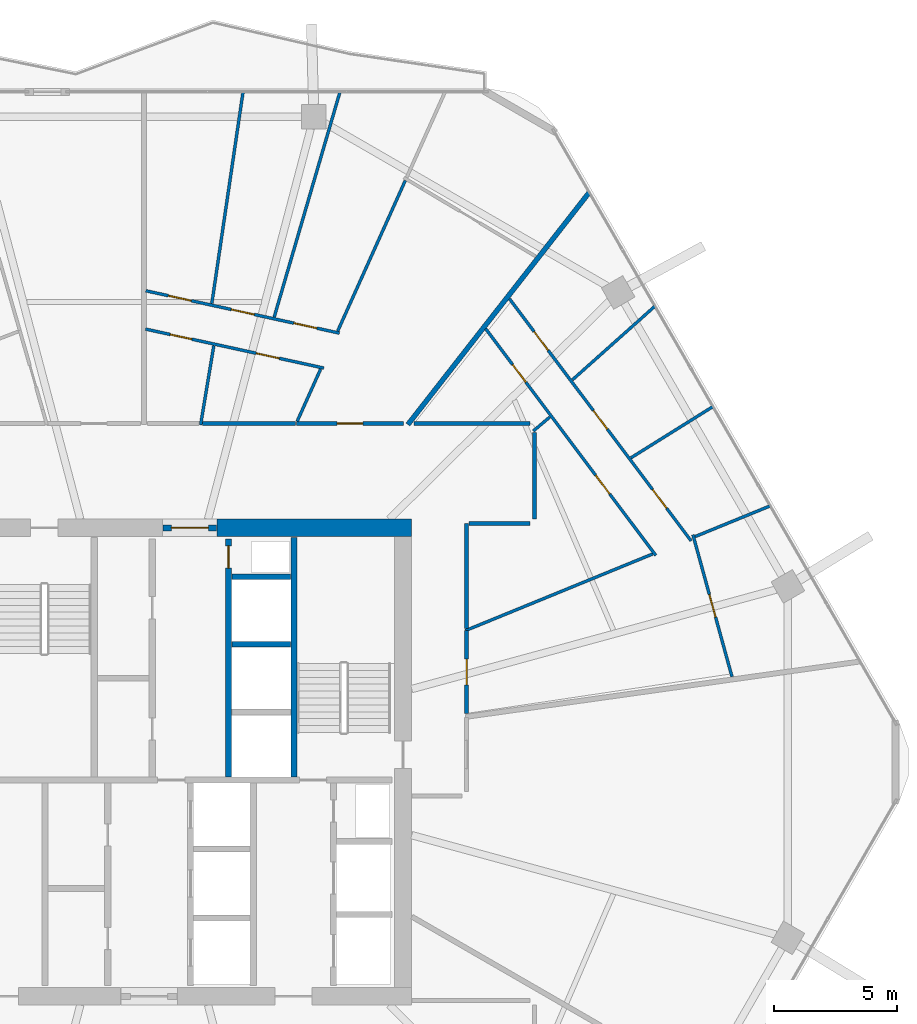
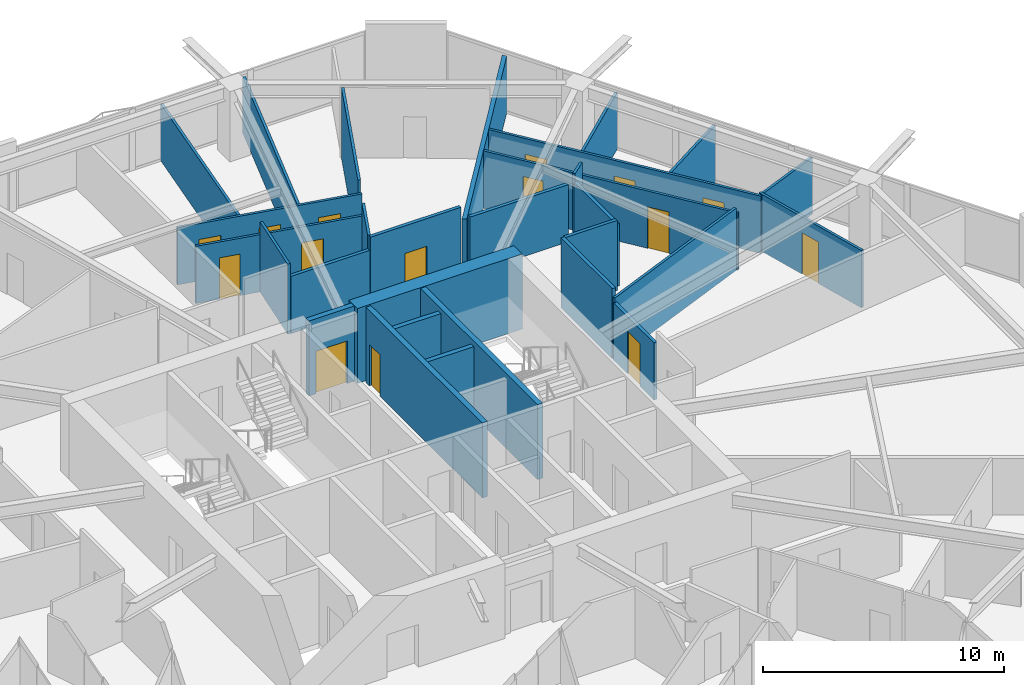
# One storey, part 21 of 25: 29 walls, 15 doors, 15 openings.
"""IFC4 building model written with IfcOpenShell, lengths in metres."""

from ifc_helpers import new_model, si_unit, direction, frame, frame_2d, origin, place, context, subcontext, project, spatial, rectangle, extrude, material, layer, layer_set, type_object, element, fill, save


model = new_model("IFC4")

# Units and contexts
model_context = context("Model", 3, precision=1e-05, world=origin(), true_north=direction((0.0, 1.0)))
body_context = subcontext(model_context, "Body", "Model", "MODEL_VIEW")
ifc_project = project(units=[si_unit("LENGTHUNIT", "METRE"), si_unit("AREAUNIT", "SQUARE_METRE"), si_unit("VOLUMEUNIT", "CUBIC_METRE"), si_unit("PLANEANGLEUNIT", "RADIAN"), si_unit("MASSUNIT", "GRAM", prefix="KILO")], contexts=[model_context])

# Site, building, storey
site_placement = place(None, origin())
site = spatial("IfcSite", under=ifc_project, at=site_placement, CompositionType="ELEMENT")
building_placement = place(site_placement, origin())
building = spatial("IfcBuilding", under=site, at=building_placement, Name="Zuhravey Tower", CompositionType="ELEMENT")
storey_placement = place(building_placement, frame((0.0, 0.0, 150.39990234375)))
storey = spatial("IfcBuildingStorey", under=building, at=storey_placement, Name="L37", CompositionType="ELEMENT", Elevation=150.39990234375)

# Wall
ifc_material_1 = material(Name="Concrete C60/75", Category="concrete")
ifc_layer_1 = layer(ifc_material_1, 0.699951171875)
ifc_layer_set_1 = layer_set([ifc_layer_1], Name="Concrete C60/75")
wall_type_1 = type_object("IfcWallType", Name="Core Shear Wall 700", PredefinedType="SHEAR", material=ifc_layer_set_1)
wall_1_placement = place(storey_placement, frame((46.85009765625, 41.5, 0.0), z_axis=(0.0, 0.0, 1.0), x_axis=(-1.0, 0.0, 0.0)))
element("IfcWall", 1, at=wall_1_placement, inside=storey, type_object=wall_type_1, Name="L37 North-East Core Shear Wall CW70", PredefinedType="SHEAR", context=body_context, shape_type="SweptSolid", body=[
    extrude(rectangle(XDim=7.900146484375, YDim=0.699951171875, at=frame_2d((3.9501953125, 0.0))), origin(), (0.0, 0.0, 1.0), 3.800048828125),
])

# Wall, opening, door
ifc_material_2 = material(Name="Gypsum fire-rated stud partition")
ifc_layer_2 = layer(ifc_material_2, 0.159912109375)
ifc_layer_set_2 = layer_set([ifc_layer_2], Name="Gypsum fire-rated stud partition")
wall_type_2 = type_object("IfcWallType", Name="Corridor Fire Partition 160", PredefinedType="PARTITIONING", material=ifc_layer_set_2)
wall_2_placement = place(storey_placement, frame((49.080078125, 33.97509765625, 0.0), z_axis=(0.0, 0.0, 1.0), x_axis=(0.0, 1.0, 0.0)))
wall_2 = element("IfcWall", 2, at=wall_2_placement, inside=storey, type_object=wall_type_2, Name="L37 IW16 Partition 023", PredefinedType="PARTITIONING", context=body_context, shape_type="SweptSolid", body=[
    extrude(rectangle(XDim=3.357177734375, YDim=0.159912109375, at=frame_2d((1.6787109375, 0.0))), origin(), (0.0, 0.0, 1.0), 2.900146484375),
])
opening_1_placement = place(wall_2_placement, frame((1.153564453125, 0.0, 0.0)))
opening_1 = element("IfcOpeningElement", 3, at=opening_1_placement, cuts=wall_2, Name="Opening APD1", PredefinedType="OPENING", context=body_context, shape_type="SweptSolid", body=[
    extrude(rectangle(XDim=1.050048828125, YDim=2.14990234375, at=frame_2d((0.52490234375, 1.074951171875))), frame((0.0, 0.092041015625, 0.0), z_axis=(0.0, -1.0, 0.0), x_axis=(1.0, 0.0, 0.0)), (0.0, 0.0, 1.0), 0.183837890625),
])
ifc_material_3 = material(Name="Solid-core oak fire-rated leaf")
door_type_1 = type_object("IfcDoorType", Name="Apartment Entrance Fire Door 1050x2150", OperationType="NOTDEFINED", PredefinedType="DOOR", material=ifc_material_3)
door_1_placement = place(opening_1_placement, frame((1.050048828125, 0.0, 0.0), z_axis=(0.0, 0.0, 1.0), x_axis=(-1.0, 0.0, 0.0)))
door_1 = element("IfcDoor", 4, at=door_1_placement, inside=storey, type_object=door_type_1, Name="L37 Door 023.1", OperationType="SINGLE_SWING_LEFT", OverallHeight=2.14990234375, OverallWidth=1.050048828125, PredefinedType="DOOR", context=body_context, shape_type="SweptSolid", body=[
    extrude(rectangle(XDim=1.050048828125, YDim=2.14990234375, at=frame_2d((0.52490234375, 1.074951171875))), frame((0.0, 0.02490234375, 0.0), z_axis=(0.0, -1.0, 0.0), x_axis=(1.0, 0.0, 0.0)), (0.0, 0.0, 1.0), 0.050048828125),
])
fill(opening_1, door_1)

wall_3_placement = place(storey_placement, frame((46.51025390625, 45.72998046875, 0.0), z_axis=(0.0, 0.0, 1.0), x_axis=(-1.0, 0.0, 0.0)))
wall_3 = element("IfcWall", 5, at=wall_3_placement, inside=storey, type_object=wall_type_2, Name="L37 IW16 Partition 027", PredefinedType="PARTITIONING", context=body_context, shape_type="SweptSolid", body=[
    extrude(rectangle(XDim=4.323486328125, YDim=0.159912109375, at=frame_2d((2.16162109375, 0.0))), origin(), (0.0, 0.0, 1.0), 3.550048828125),
])
opening_2_placement = place(wall_3_placement, frame((1.63671875, 0.0, 0.0)))
opening_2 = element("IfcOpeningElement", 6, at=opening_2_placement, cuts=wall_3, Name="Opening APD1", PredefinedType="OPENING", context=body_context, shape_type="SweptSolid", body=[
    extrude(rectangle(XDim=1.050048828125, YDim=2.14990234375, at=frame_2d((0.52490234375, 1.074951171875))), frame((0.0, 0.092041015625, 0.0), z_axis=(0.0, -1.0, 0.0), x_axis=(1.0, 0.0, 0.0)), (0.0, 0.0, 1.0), 0.183837890625),
])
door_2_placement = place(opening_2_placement, frame((1.050048828125, 0.0, 0.0), z_axis=(0.0, 0.0, 1.0), x_axis=(-1.0, 0.0, 0.0)))
door_2 = element("IfcDoor", 7, at=door_2_placement, inside=storey, type_object=door_type_1, Name="L37 Door 027.1", OperationType="SINGLE_SWING_RIGHT", OverallHeight=2.14990234375, OverallWidth=1.050048828125, PredefinedType="DOOR", context=body_context, shape_type="SweptSolid", body=[
    extrude(rectangle(XDim=1.050048828125, YDim=2.14990234375, at=frame_2d((0.52490234375, 1.074951171875))), frame((0.0, 0.02490234375, 0.0), z_axis=(0.0, -1.0, 0.0), x_axis=(1.0, 0.0, 0.0)), (0.0, 0.0, 1.0), 0.050048828125),
])
fill(opening_2, door_2)

# Walls
wall_4_placement = place(storey_placement, frame((49.080078125, 37.42724609375, 0.0), z_axis=(0.0, 0.0, 1.0), x_axis=(0.0, 1.0, 0.0)))
element("IfcWall", 8, at=wall_4_placement, inside=storey, type_object=wall_type_2, Name="L37 IW16 Partition 111", PredefinedType="PARTITIONING", context=body_context, shape_type="SweptSolid", body=[
    extrude(rectangle(XDim=4.24267578125, YDim=0.159912109375, at=frame_2d((2.121337890625, 0.0))), origin(), (0.0, 0.0, 1.0), 3.550048828125),
])
wall_5_placement = place(storey_placement, frame((51.830078125, 41.85009765625, 0.0), z_axis=(0.0, 0.0, 1.0), x_axis=(0.0, 1.0, 0.0)))
element("IfcWall", 9, at=wall_5_placement, inside=storey, type_object=wall_type_2, Name="L37 IW16 Partition 112", PredefinedType="PARTITIONING", context=body_context, shape_type="SweptSolid", body=[
    extrude(rectangle(XDim=3.527587890625, YDim=0.159912109375, at=frame_2d((1.763671875, 0.0))), origin(), (0.0, 0.0, 1.0), 3.150146484375),
])
wall_6_placement = place(storey_placement, frame((49.16796875, 41.669921875, 0.0), z_axis=(0.0, 0.0, 1.0), x_axis=(1.0, 0.0, 0.0)))
element("IfcWall", 10, at=wall_6_placement, inside=storey, type_object=wall_type_2, Name="L37 IW16 Partition 113", PredefinedType="PARTITIONING", context=body_context, shape_type="SweptSolid", body=[
    extrude(rectangle(XDim=2.48193359375, YDim=0.159912109375, at=frame_2d((1.240966796875, 0.0))), origin(), (0.0, 0.0, 1.0), 3.550048828125),
])
wall_7_placement = place(storey_placement, frame((51.64990234375, 45.72998046875, 0.0), z_axis=(0.0, 0.0, 1.0), x_axis=(-1.0, 0.0, 0.0)))
element("IfcWall", 11, at=wall_7_placement, inside=storey, type_object=wall_type_2, Name="L37 IW16 Partition 114", PredefinedType="PARTITIONING", context=body_context, shape_type="SweptSolid", body=[
    extrude(rectangle(XDim=4.702880859375, YDim=0.159912109375, at=frame_2d((2.3515625, 0.0))), origin(), (0.0, 0.0, 1.0), 2.900146484375),
])
wall_8_placement = place(storey_placement, frame((42.142822265625, 45.72998046875, 0.0), z_axis=(0.0, 0.0, 1.0), x_axis=(-1.0, 0.0, 0.0)))
element("IfcWall", 12, at=wall_8_placement, inside=storey, type_object=wall_type_2, Name="L37 IW16 Partition 115", PredefinedType="PARTITIONING", context=body_context, shape_type="SweptSolid", body=[
    extrude(rectangle(XDim=3.776611328125, YDim=0.159912109375, at=frame_2d((1.88818359375, 0.0))), origin(), (0.0, 0.0, 1.0), 2.900146484375),
])

# Wall, opening, door
ifc_material_4 = material(Name="Concrete C50/60", Category="concrete")
ifc_layer_3 = layer(ifc_material_4, 0.25)
ifc_layer_set_3 = layer_set([ifc_layer_3], Name="Concrete C50/60")
wall_type_3 = type_object("IfcWallType", Name="Firefighting Shaft & Stair Wall 250", PredefinedType="SOLIDWALL", material=ifc_layer_set_3)
wall_9_placement = place(storey_placement, frame((36.760009765625, 41.5, 0.0), z_axis=(0.0, 0.0, 1.0), x_axis=(1.0, 0.0, 0.0)))
wall_9 = element("IfcWall", 13, at=wall_9_placement, inside=storey, type_object=wall_type_3, Name="L37 FW25 Shaft Wall 002", PredefinedType="SOLIDWALL", context=body_context, shape_type="SweptSolid", body=[
    extrude(rectangle(XDim=2.179931640625, YDim=0.25, at=frame_2d((1.08984375, 0.0))), origin(), (0.0, 0.0, 1.0), 3.800048828125),
])
opening_3_placement = place(wall_9_placement, frame((0.340087890625, 0.0, 0.0)))
opening_3 = element("IfcOpeningElement", 14, at=opening_3_placement, cuts=wall_9, Name="Opening FFD1", PredefinedType="OPENING", context=body_context, shape_type="SweptSolid", body=[
    extrude(rectangle(XDim=1.5, YDim=2.14990234375, at=frame_2d((0.75, 1.074951171875))), frame((0.0, 0.136962890625, 0.0), z_axis=(0.0, -1.0, 0.0), x_axis=(1.0, 0.0, 0.0)), (0.0, 0.0, 1.0), 0.27392578125),
])
ifc_material_5 = material(Name="Galvanised fire-rated steel leaf", Category="steel")
door_type_2 = type_object("IfcDoorType", Name="Firefighting Lobby Double Door 1500x2150", OperationType="DOUBLE_DOOR_SINGLE_SWING", PredefinedType="DOOR", material=ifc_material_5)
door_3_placement = place(opening_3_placement, origin())
door_3 = element("IfcDoor", 15, at=door_3_placement, inside=storey, type_object=door_type_2, Name="L37 North Lift Lobby Exit Door", OperationType="DOUBLE_DOOR_SINGLE_SWING", OverallHeight=2.14990234375, OverallWidth=1.5, PredefinedType="DOOR", context=body_context, shape_type="SweptSolid", body=[
    extrude(rectangle(XDim=1.5, YDim=2.14990234375, at=frame_2d((0.75, 1.074951171875))), frame((0.0, 0.02490234375, 0.0), z_axis=(0.0, -1.0, 0.0), x_axis=(1.0, 0.0, 0.0)), (0.0, 0.0, 1.0), 0.050048828125),
])
fill(opening_3, door_3)

# Wall
wall_10_placement = place(storey_placement, frame((42.074951171875, 31.39990234375, 0.0), z_axis=(0.0, 0.0, 1.0), x_axis=(0.0, 1.0, 0.0)))
element("IfcWall", 16, at=wall_10_placement, inside=storey, type_object=wall_type_3, Name="L37 FW25 Shaft Wall 006", PredefinedType="SOLIDWALL", context=body_context, shape_type="SweptSolid", body=[
    extrude(rectangle(XDim=9.7001953125, YDim=0.25, at=frame_2d((4.85009765625, 0.0))), origin(), (0.0, 0.0, 1.0), 3.800048828125),
])

# Wall, opening, door
wall_11_placement = place(storey_placement, frame((39.425048828125, 31.39990234375, 0.0), z_axis=(0.0, 0.0, 1.0), x_axis=(0.0, 1.0, 0.0)))
wall_11 = element("IfcWall", 17, at=wall_11_placement, inside=storey, type_object=wall_type_3, Name="L37 FW25 Shaft Wall 008", PredefinedType="SOLIDWALL", context=body_context, shape_type="SweptSolid", body=[
    extrude(rectangle(XDim=9.650146484375, YDim=0.25, at=frame_2d((4.8251953125, 0.0))), origin(), (0.0, 0.0, 1.0), 3.800048828125),
])
opening_4_placement = place(wall_11_placement, frame((8.469970703125, 0.0, 0.0)))
opening_4 = element("IfcOpeningElement", 18, at=opening_4_placement, cuts=wall_11, Name="Opening RSD1", PredefinedType="OPENING", context=body_context, shape_type="SweptSolid", body=[
    extrude(rectangle(XDim=0.89990234375, YDim=2.10009765625, at=frame_2d((0.449951171875, 1.050048828125))), frame((0.0, 0.136962890625, 0.0), z_axis=(0.0, -1.0, 0.0), x_axis=(1.0, 0.0, 0.0)), (0.0, 0.0, 1.0), 0.27392578125),
])
ifc_material_6 = material(Name="Galvanised fire-rated steel access leaf", Category="steel")
door_type_3 = type_object("IfcDoorType", Name="Riser & Shaft Access Fire Door 900x2100", OperationType="NOTDEFINED", PredefinedType="DOOR", material=ifc_material_6)
door_4_placement = place(opening_4_placement, origin())
door_4 = element("IfcDoor", 19, at=door_4_placement, inside=storey, type_object=door_type_3, Name="L37 North Riser Door", OperationType="SINGLE_SWING_LEFT", OverallHeight=2.10009765625, OverallWidth=0.89990234375, PredefinedType="DOOR", context=body_context, shape_type="SweptSolid", body=[
    extrude(rectangle(XDim=0.89990234375, YDim=2.10009765625, at=frame_2d((0.449951171875, 1.050048828125))), frame((0.0, 0.02490234375, 0.0), z_axis=(0.0, -1.0, 0.0), x_axis=(1.0, 0.0, 0.0)), (0.0, 0.0, 1.0), 0.050048828125),
])
fill(opening_4, door_4)

# Walls
ifc_material_7 = material(Name="Gypsum double-stud party assembly")
ifc_layer_4 = layer(ifc_material_7, 0.199951171875)
ifc_layer_set_4 = layer_set([ifc_layer_4], Name="Gypsum double-stud party assembly")
wall_type_4 = type_object("IfcWallType", Name="Inter-Tenancy Party Wall 200", PredefinedType="PARTITIONING", material=ifc_layer_set_4)
wall_12_placement = place(storey_placement, frame((46.69580078125, 45.68994140625, 0.0), z_axis=(0.0, 0.0, 1.0), x_axis=(0.615655544117, 0.788015387539, 0.0)))
element("IfcWall", 20, at=wall_12_placement, inside=storey, type_object=wall_type_4, Name="L37 IW20 Partition 068", PredefinedType="PARTITIONING", context=body_context, shape_type="SweptSolid", body=[
    extrude(rectangle(XDim=11.945068359375, YDim=0.199951171875, at=frame_2d((5.97265625, 0.0))), origin(), (0.0, 0.0, 1.0), 2.8701171875),
])
ifc_material_8 = material(Name="Gypsum acoustic stud assembly")
ifc_layer_5 = layer(ifc_material_8, 0.219970703125)
ifc_layer_set_5 = layer_set([ifc_layer_5], Name="Gypsum acoustic stud assembly")
wall_type_5 = type_object("IfcWallType", Name="School Acoustic Compartment Wall 220", PredefinedType="PARTITIONING", material=ifc_layer_set_5)
for number, where, z_axis, x_axis, name in (
    (21, (39.55810546875, 36.77490234375, 0.0), (0.0, 0.0, 1.0), (1.0, 0.0, 0.0), "L37 IW22 Partition 058"),
    (22, (39.55810546875, 39.52490234375, 0.0), (0.0, 0.0, 1.0), (1.0, 0.0, 0.0), "L37 IW22 Partition 059"),
):
    element("IfcWall", number, at=place(storey_placement, frame(where, z_axis=z_axis, x_axis=x_axis)), inside=storey, type_object=wall_type_5, Name=name, PredefinedType="PARTITIONING", context=body_context, shape_type="SweptSolid", body=[
        extrude(rectangle(XDim=2.3837890625, YDim=0.219970703125, at=frame_2d((1.19189453125, 0.0))), origin(), (0.0, 0.0, 1.0), 3.550048828125),
    ])

# Wall, opening, door
ifc_material_9 = material(Name="Gypsum metal-stud partition")
ifc_layer_6 = layer(ifc_material_9, 0.1201171875)
ifc_layer_set_6 = layer_set([ifc_layer_6], Name="Gypsum metal-stud partition")
wall_type_6 = type_object("IfcWallType", Name="Unit Internal Partition 120", PredefinedType="PARTITIONING", material=ifc_layer_set_6)
wall_13_placement = place(storey_placement, frame((59.840087890625, 35.4619140625, 0.0), z_axis=(0.0, 0.0, 1.0), x_axis=(-0.265206859365, 0.964191537894, 0.0)))
wall_13 = element("IfcWall", 23, at=wall_13_placement, inside=storey, type_object=wall_type_6, Name="L37 IW12 Partition 020", PredefinedType="PARTITIONING", context=body_context, shape_type="SweptSolid", body=[
    extrude(rectangle(XDim=5.969970703125, YDim=0.1201171875, at=frame_2d((2.98486328125, 0.0))), origin(), (0.0, 0.0, 1.0), 2.900146484375),
])
opening_5_placement = place(wall_13_placement, frame((2.510009765625, 0.0, 0.0)))
opening_5 = element("IfcOpeningElement", 24, at=opening_5_placement, cuts=wall_13, Name="Opening IND1", PredefinedType="OPENING", context=body_context, shape_type="SweptSolid", body=[
    extrude(rectangle(XDim=0.949951171875, YDim=2.10009765625, at=frame_2d((0.47509765625, 1.050048828125))), frame((0.0, 0.072021484375, 0.0), z_axis=(0.0, -1.0, 0.0), x_axis=(1.0, 0.0, 0.0)), (0.0, 0.0, 1.0), 0.14404296875),
])
ifc_material_10 = material(Name="Painted engineered timber leaf", Category="wood")
door_type_4 = type_object("IfcDoorType", Name="Internal Room & Bedroom Door 950x2100", OperationType="NOTDEFINED", PredefinedType="DOOR", material=ifc_material_10)
door_5_placement = place(opening_5_placement, frame((0.949951171875, 0.0, 0.0), z_axis=(0.0, 0.0, 1.0), x_axis=(-1.0, 0.0, 0.0)))
door_5 = element("IfcDoor", 25, at=door_5_placement, inside=storey, type_object=door_type_4, Name="Apartment L37-01 Family Study Door", OperationType="SINGLE_SWING_LEFT", OverallHeight=2.10009765625, OverallWidth=0.949951171875, PredefinedType="DOOR", context=body_context, shape_type="SweptSolid", body=[
    extrude(rectangle(XDim=0.949951171875, YDim=2.10009765625, at=frame_2d((0.47509765625, 1.050048828125))), frame((0.0, 0.02490234375, 0.0), z_axis=(0.0, -1.0, 0.0), x_axis=(1.0, 0.0, 0.0)), (0.0, 0.0, 1.0), 0.050048828125),
])
fill(opening_5, door_5)

# Wall, openings, doors
wall_14_placement = place(storey_placement, frame((56.748291015625, 40.384521484375, 0.0), z_axis=(0.0, 0.0, 1.0), x_axis=(-0.600156370002, 0.799882698616, 0.0)))
wall_14 = element("IfcWall", 26, at=wall_14_placement, inside=storey, type_object=wall_type_6, Name="L37 IW12 Partition 021", PredefinedType="PARTITIONING", context=body_context, shape_type="SweptSolid", body=[
    extrude(rectangle(XDim=11.490234375, YDim=0.1201171875, at=frame_2d((5.7451171875, 0.0))), origin(), (0.0, 0.0, 1.0), 2.900146484375),
])
opening_6_placement = place(wall_14_placement, frame((3.1123046875, 0.0, 0.0)))
opening_6 = element("IfcOpeningElement", 27, at=opening_6_placement, cuts=wall_14, Name="Opening IND1", PredefinedType="OPENING", context=body_context, shape_type="SweptSolid", body=[
    extrude(rectangle(XDim=0.949951171875, YDim=2.10009765625, at=frame_2d((0.47509765625, 1.050048828125))), frame((0.0, 0.072021484375, 0.0), z_axis=(0.0, -1.0, 0.0), x_axis=(1.0, 0.0, 0.0)), (0.0, 0.0, 1.0), 0.14404296875),
])
opening_7_placement = place(wall_14_placement, frame((8.779052734375, 0.0, 0.0)))
opening_7 = element("IfcOpeningElement", 28, at=opening_7_placement, cuts=wall_14, Name="Opening WCD1", PredefinedType="OPENING", context=body_context, shape_type="SweptSolid", body=[
    extrude(rectangle(XDim=0.89990234375, YDim=2.10009765625, at=frame_2d((0.449951171875, 1.050048828125))), frame((0.0, 0.072021484375, 0.0), z_axis=(0.0, -1.0, 0.0), x_axis=(1.0, 0.0, 0.0)), (0.0, 0.0, 1.0), 0.14404296875),
])
ifc_material_11 = material(Name="Moisture-resistant timber leaf", Category="wood")
door_type_5 = type_object("IfcDoorType", Name="Bathroom & WC Internal Door 900x2100", OperationType="NOTDEFINED", PredefinedType="DOOR", material=ifc_material_11)
door_6_placement = place(opening_7_placement, origin())
door_6 = element("IfcDoor", 29, at=door_6_placement, inside=storey, type_object=door_type_5, Name="Apartment L37-01 Bathroom Door", OperationType="SINGLE_SWING_LEFT", OverallHeight=2.10009765625, OverallWidth=0.89990234375, PredefinedType="DOOR", context=body_context, shape_type="SweptSolid", body=[
    extrude(rectangle(XDim=0.89990234375, YDim=2.10009765625, at=frame_2d((0.449951171875, 1.050048828125))), frame((0.0, 0.02490234375, 0.0), z_axis=(0.0, -1.0, 0.0), x_axis=(1.0, 0.0, 0.0)), (0.0, 0.0, 1.0), 0.050048828125),
])
fill(opening_7, door_6)
door_7_placement = place(opening_6_placement, origin())
door_7 = element("IfcDoor", 30, at=door_7_placement, inside=storey, type_object=door_type_4, Name="Apartment L37-01 Kitchen Door", OperationType="SINGLE_SWING_RIGHT", OverallHeight=2.10009765625, OverallWidth=0.949951171875, PredefinedType="DOOR", context=body_context, shape_type="SweptSolid", body=[
    extrude(rectangle(XDim=0.949951171875, YDim=2.10009765625, at=frame_2d((0.47509765625, 1.050048828125))), frame((0.0, 0.02490234375, 0.0), z_axis=(0.0, -1.0, 0.0), x_axis=(1.0, 0.0, 0.0)), (0.0, 0.0, 1.0), 0.050048828125),
])
fill(opening_6, door_7)

wall_15_placement = place(storey_placement, frame((58.182861328125, 40.9716796875, 0.0), z_axis=(0.0, 0.0, 1.0), x_axis=(-0.600136851624, 0.79989734299, 0.0)))
wall_15 = element("IfcWall", 31, at=wall_15_placement, inside=storey, type_object=wall_type_6, Name="L37 IW12 Partition 022", PredefinedType="PARTITIONING", context=body_context, shape_type="SweptSolid", body=[
    extrude(rectangle(XDim=12.27294921875, YDim=0.1201171875, at=frame_2d((6.136474609375, 0.0))), origin(), (0.0, 0.0, 1.0), 2.900146484375),
])
opening_8_placement = place(wall_15_placement, frame((1.6572265625, 0.0, 0.0)))
opening_8 = element("IfcOpeningElement", 32, at=opening_8_placement, cuts=wall_15, Name="Opening IND1", PredefinedType="OPENING", context=body_context, shape_type="SweptSolid", body=[
    extrude(rectangle(XDim=0.949951171875, YDim=2.10009765625, at=frame_2d((0.47509765625, 1.050048828125))), frame((0.0, 0.072021484375, 0.0), z_axis=(0.0, -1.0, 0.0), x_axis=(1.0, 0.0, 0.0)), (0.0, 0.0, 1.0), 0.14404296875),
])
opening_9_placement = place(wall_15_placement, frame((5.66162109375, 0.0, 0.0)))
opening_9 = element("IfcOpeningElement", 33, at=opening_9_placement, cuts=wall_15, Name="Opening IND1", PredefinedType="OPENING", context=body_context, shape_type="SweptSolid", body=[
    extrude(rectangle(XDim=0.949951171875, YDim=2.10009765625, at=frame_2d((0.47509765625, 1.050048828125))), frame((0.0, 0.072021484375, 0.0), z_axis=(0.0, -1.0, 0.0), x_axis=(1.0, 0.0, 0.0)), (0.0, 0.0, 1.0), 0.14404296875),
])
opening_10_placement = place(wall_15_placement, frame((9.665771484375, 0.0, 0.0)))
opening_10 = element("IfcOpeningElement", 34, at=opening_10_placement, cuts=wall_15, Name="Opening IND1", PredefinedType="OPENING", context=body_context, shape_type="SweptSolid", body=[
    extrude(rectangle(XDim=0.949951171875, YDim=2.10009765625, at=frame_2d((0.47509765625, 1.050048828125))), frame((0.0, 0.072021484375, 0.0), z_axis=(0.0, -1.0, 0.0), x_axis=(1.0, 0.0, 0.0)), (0.0, 0.0, 1.0), 0.14404296875),
])
door_8_placement = place(opening_8_placement, frame((0.949951171875, 0.0, 0.0), z_axis=(0.0, 0.0, 1.0), x_axis=(-1.0, 0.0, 0.0)))
door_8 = element("IfcDoor", 35, at=door_8_placement, inside=storey, type_object=door_type_4, Name="Apartment L37-01 Bedroom 1 Door", OperationType="SINGLE_SWING_RIGHT", OverallHeight=2.10009765625, OverallWidth=0.949951171875, PredefinedType="DOOR", context=body_context, shape_type="SweptSolid", body=[
    extrude(rectangle(XDim=0.949951171875, YDim=2.10009765625, at=frame_2d((0.47509765625, 1.050048828125))), frame((0.0, 0.02490234375, 0.0), z_axis=(0.0, -1.0, 0.0), x_axis=(1.0, 0.0, 0.0)), (0.0, 0.0, 1.0), 0.050048828125),
])
fill(opening_8, door_8)
door_9_placement = place(opening_9_placement, frame((0.949951171875, 0.0, 0.0), z_axis=(0.0, 0.0, 1.0), x_axis=(-1.0, 0.0, 0.0)))
door_9 = element("IfcDoor", 36, at=door_9_placement, inside=storey, type_object=door_type_4, Name="Apartment L37-01 Bedroom 2 Door", OperationType="SINGLE_SWING_LEFT", OverallHeight=2.10009765625, OverallWidth=0.949951171875, PredefinedType="DOOR", context=body_context, shape_type="SweptSolid", body=[
    extrude(rectangle(XDim=0.949951171875, YDim=2.10009765625, at=frame_2d((0.47509765625, 1.050048828125))), frame((0.0, 0.02490234375, 0.0), z_axis=(0.0, -1.0, 0.0), x_axis=(1.0, 0.0, 0.0)), (0.0, 0.0, 1.0), 0.050048828125),
])
fill(opening_9, door_9)
door_10_placement = place(opening_10_placement, frame((0.949951171875, 0.0, 0.0), z_axis=(0.0, 0.0, 1.0), x_axis=(-1.0, 0.0, 0.0)))
door_10 = element("IfcDoor", 37, at=door_10_placement, inside=storey, type_object=door_type_4, Name="Apartment L37-01 Bedroom 3 Door", OperationType="SINGLE_SWING_RIGHT", OverallHeight=2.10009765625, OverallWidth=0.949951171875, PredefinedType="DOOR", context=body_context, shape_type="SweptSolid", body=[
    extrude(rectangle(XDim=0.949951171875, YDim=2.10009765625, at=frame_2d((0.47509765625, 1.050048828125))), frame((0.0, 0.02490234375, 0.0), z_axis=(0.0, -1.0, 0.0), x_axis=(1.0, 0.0, 0.0)), (0.0, 0.0, 1.0), 0.050048828125),
])
fill(opening_10, door_10)

wall_16_placement = place(storey_placement, frame((43.28515625, 47.981201171875, 0.0), z_axis=(0.0, 0.0, 1.0), x_axis=(-0.976898726502, 0.213702779952, 0.0)))
wall_16 = element("IfcWall", 38, at=wall_16_placement, inside=storey, type_object=wall_type_6, Name="L37 IW12 Partition 025", PredefinedType="PARTITIONING", context=body_context, shape_type="SweptSolid", body=[
    extrude(rectangle(XDim=7.40283203125, YDim=0.1201171875, at=frame_2d((3.701416015625, 0.0))), origin(), (0.0, 0.0, 1.0), 2.900146484375),
])
opening_11_placement = place(wall_16_placement, frame((1.852783203125, 0.0, 0.0)))
opening_11 = element("IfcOpeningElement", 39, at=opening_11_placement, cuts=wall_16, Name="Opening IND1", PredefinedType="OPENING", context=body_context, shape_type="SweptSolid", body=[
    extrude(rectangle(XDim=0.949951171875, YDim=2.10009765625, at=frame_2d((0.47509765625, 1.050048828125))), frame((0.0, 0.072021484375, 0.0), z_axis=(0.0, -1.0, 0.0), x_axis=(1.0, 0.0, 0.0)), (0.0, 0.0, 1.0), 0.14404296875),
])
opening_12_placement = place(wall_16_placement, frame((5.47705078125, 0.0, 0.0)))
opening_12 = element("IfcOpeningElement", 40, at=opening_12_placement, cuts=wall_16, Name="Opening WCD1", PredefinedType="OPENING", context=body_context, shape_type="SweptSolid", body=[
    extrude(rectangle(XDim=0.89990234375, YDim=2.10009765625, at=frame_2d((0.449951171875, 1.050048828125))), frame((0.0, 0.072021484375, 0.0), z_axis=(0.0, -1.0, 0.0), x_axis=(1.0, 0.0, 0.0)), (0.0, 0.0, 1.0), 0.14404296875),
])
door_11_placement = place(opening_12_placement, origin())
door_11 = element("IfcDoor", 41, at=door_11_placement, inside=storey, type_object=door_type_5, Name="Apartment L37-02 Bathroom Door", OperationType="SINGLE_SWING_RIGHT", OverallHeight=2.10009765625, OverallWidth=0.89990234375, PredefinedType="DOOR", context=body_context, shape_type="SweptSolid", body=[
    extrude(rectangle(XDim=0.89990234375, YDim=2.10009765625, at=frame_2d((0.449951171875, 1.050048828125))), frame((0.0, 0.02490234375, 0.0), z_axis=(0.0, -1.0, 0.0), x_axis=(1.0, 0.0, 0.0)), (0.0, 0.0, 1.0), 0.050048828125),
])
fill(opening_12, door_11)
door_12_placement = place(opening_11_placement, origin())
door_12 = element("IfcDoor", 42, at=door_12_placement, inside=storey, type_object=door_type_4, Name="Apartment L37-02 Kitchen Door", OperationType="SINGLE_SWING_LEFT", OverallHeight=2.10009765625, OverallWidth=0.949951171875, PredefinedType="DOOR", context=body_context, shape_type="SweptSolid", body=[
    extrude(rectangle(XDim=0.949951171875, YDim=2.10009765625, at=frame_2d((0.47509765625, 1.050048828125))), frame((0.0, 0.02490234375, 0.0), z_axis=(0.0, -1.0, 0.0), x_axis=(1.0, 0.0, 0.0)), (0.0, 0.0, 1.0), 0.050048828125),
])
fill(opening_11, door_12)

wall_17_placement = place(storey_placement, frame((43.921142578125, 49.39794921875, 0.0), z_axis=(0.0, 0.0, 1.0), x_axis=(-0.976896253364, 0.213714085082, 0.0)))
wall_17 = element("IfcWall", 43, at=wall_17_placement, inside=storey, type_object=wall_type_6, Name="L37 IW12 Partition 026", PredefinedType="PARTITIONING", context=body_context, shape_type="SweptSolid", body=[
    extrude(rectangle(XDim=8.0400390625, YDim=0.1201171875, at=frame_2d((4.02001953125, 0.0))), origin(), (0.0, 0.0, 1.0), 2.900146484375),
])
opening_13_placement = place(wall_17_placement, frame((0.940185546875, 0.0, 0.0)))
opening_13 = element("IfcOpeningElement", 44, at=opening_13_placement, cuts=wall_17, Name="Opening IND1", PredefinedType="OPENING", context=body_context, shape_type="SweptSolid", body=[
    extrude(rectangle(XDim=0.949951171875, YDim=2.10009765625, at=frame_2d((0.47509765625, 1.050048828125))), frame((0.0, 0.072021484375, 0.0), z_axis=(0.0, -1.0, 0.0), x_axis=(1.0, 0.0, 0.0)), (0.0, 0.0, 1.0), 0.14404296875),
])
opening_14_placement = place(wall_17_placement, frame((3.544921875, 0.0, 0.0)))
opening_14 = element("IfcOpeningElement", 45, at=opening_14_placement, cuts=wall_17, Name="Opening IND1", PredefinedType="OPENING", context=body_context, shape_type="SweptSolid", body=[
    extrude(rectangle(XDim=0.949951171875, YDim=2.10009765625, at=frame_2d((0.47509765625, 1.050048828125))), frame((0.0, 0.072021484375, 0.0), z_axis=(0.0, -1.0, 0.0), x_axis=(1.0, 0.0, 0.0)), (0.0, 0.0, 1.0), 0.14404296875),
])
opening_15_placement = place(wall_17_placement, frame((6.14990234375, 0.0, 0.0)))
opening_15 = element("IfcOpeningElement", 46, at=opening_15_placement, cuts=wall_17, Name="Opening IND1", PredefinedType="OPENING", context=body_context, shape_type="SweptSolid", body=[
    extrude(rectangle(XDim=0.949951171875, YDim=2.10009765625, at=frame_2d((0.47509765625, 1.050048828125))), frame((0.0, 0.072021484375, 0.0), z_axis=(0.0, -1.0, 0.0), x_axis=(1.0, 0.0, 0.0)), (0.0, 0.0, 1.0), 0.14404296875),
])
door_13_placement = place(opening_13_placement, frame((0.949951171875, 0.0, 0.0), z_axis=(0.0, 0.0, 1.0), x_axis=(-1.0, 0.0, 0.0)))
door_13 = element("IfcDoor", 47, at=door_13_placement, inside=storey, type_object=door_type_4, Name="Apartment L37-02 Bedroom 1 Door", OperationType="SINGLE_SWING_LEFT", OverallHeight=2.10009765625, OverallWidth=0.949951171875, PredefinedType="DOOR", context=body_context, shape_type="SweptSolid", body=[
    extrude(rectangle(XDim=0.949951171875, YDim=2.10009765625, at=frame_2d((0.47509765625, 1.050048828125))), frame((0.0, 0.02490234375, 0.0), z_axis=(0.0, -1.0, 0.0), x_axis=(1.0, 0.0, 0.0)), (0.0, 0.0, 1.0), 0.050048828125),
])
fill(opening_13, door_13)
door_14_placement = place(opening_14_placement, frame((0.949951171875, 0.0, 0.0), z_axis=(0.0, 0.0, 1.0), x_axis=(-1.0, 0.0, 0.0)))
door_14 = element("IfcDoor", 48, at=door_14_placement, inside=storey, type_object=door_type_4, Name="Apartment L37-02 Bedroom 2 Door", OperationType="SINGLE_SWING_RIGHT", OverallHeight=2.10009765625, OverallWidth=0.949951171875, PredefinedType="DOOR", context=body_context, shape_type="SweptSolid", body=[
    extrude(rectangle(XDim=0.949951171875, YDim=2.10009765625, at=frame_2d((0.47509765625, 1.050048828125))), frame((0.0, 0.02490234375, 0.0), z_axis=(0.0, -1.0, 0.0), x_axis=(1.0, 0.0, 0.0)), (0.0, 0.0, 1.0), 0.050048828125),
])
fill(opening_14, door_14)
door_15_placement = place(opening_15_placement, frame((0.949951171875, 0.0, 0.0), z_axis=(0.0, 0.0, 1.0), x_axis=(-1.0, 0.0, 0.0)))
door_15 = element("IfcDoor", 49, at=door_15_placement, inside=storey, type_object=door_type_4, Name="Apartment L37-02 Bedroom 3 Door", OperationType="SINGLE_SWING_LEFT", OverallHeight=2.10009765625, OverallWidth=0.949951171875, PredefinedType="DOOR", context=body_context, shape_type="SweptSolid", body=[
    extrude(rectangle(XDim=0.949951171875, YDim=2.10009765625, at=frame_2d((0.47509765625, 1.050048828125))), frame((0.0, 0.02490234375, 0.0), z_axis=(0.0, -1.0, 0.0), x_axis=(1.0, 0.0, 0.0)), (0.0, 0.0, 1.0), 0.050048828125),
])
fill(opening_15, door_15)

# Walls
wall_18_placement = place(storey_placement, frame((51.780029296875, 45.424560546875, 0.0), z_axis=(0.0, 0.0, 1.0), x_axis=(0.761652645913, 0.647985529911, 0.0)))
element("IfcWall", 50, at=wall_18_placement, inside=storey, type_object=wall_type_6, Name="L37 IW12 Partition 063", PredefinedType="PARTITIONING", context=body_context, shape_type="SweptSolid", body=[
    extrude(rectangle(XDim=0.8828125, YDim=0.1201171875, at=frame_2d((0.44140625, 0.0))), origin(), (0.0, 0.0, 1.0), 3.550048828125),
])
wall_19_placement = place(storey_placement, frame((55.741455078125, 44.339111328125, 0.0), z_axis=(0.0, 0.0, 1.0), x_axis=(0.847998304005, 0.529998940003, 0.0)))
element("IfcWall", 51, at=wall_19_placement, inside=storey, type_object=wall_type_6, Name="L37 IW12 Partition 064", PredefinedType="PARTITIONING", context=body_context, shape_type="SweptSolid", body=[
    extrude(rectangle(XDim=3.92919921875, YDim=0.1201171875, at=frame_2d((1.964599609375, 0.0))), origin(), (0.0, 0.0, 1.0), 2.8701171875),
])
wall_20_placement = place(storey_placement, frame((53.36767578125, 47.5029296875, 0.0), z_axis=(0.0, 0.0, 1.0), x_axis=(0.746002225815, 0.665943450361, 0.0)))
element("IfcWall", 52, at=wall_20_placement, inside=storey, type_object=wall_type_6, Name="L37 IW12 Partition 065", PredefinedType="PARTITIONING", context=body_context, shape_type="SweptSolid", body=[
    extrude(rectangle(XDim=4.494873046875, YDim=0.1201171875, at=frame_2d((2.24755859375, 0.0))), origin(), (0.0, 0.0, 1.0), 2.8701171875),
])
wall_21_placement = place(storey_placement, frame((49.0322265625, 37.334228515625, 0.0), z_axis=(0.0, 0.0, 1.0), x_axis=(0.92547579993, 0.378806736666, 0.0)))
element("IfcWall", 53, at=wall_21_placement, inside=storey, type_object=wall_type_6, Name="L37 IW12 Partition 066", PredefinedType="PARTITIONING", context=body_context, shape_type="SweptSolid", body=[
    extrude(rectangle(XDim=8.199951171875, YDim=0.1201171875, at=frame_2d((4.10009765625, 0.0))), origin(), (0.0, 0.0, 1.0), 3.150146484375),
])
wall_22_placement = place(storey_placement, frame((58.346923828125, 41.14697265625, 0.0), z_axis=(0.0, 0.0, 1.0), x_axis=(0.925495037652, 0.378759732919, 0.0)))
element("IfcWall", 54, at=wall_22_placement, inside=storey, type_object=wall_type_6, Name="L37 IW12 Partition 067", PredefinedType="PARTITIONING", context=body_context, shape_type="SweptSolid", body=[
    extrude(rectangle(XDim=3.29638671875, YDim=0.1201171875, at=frame_2d((1.648193359375, 0.0))), origin(), (0.0, 0.0, 1.0), 2.8701171875),
])
wall_23_placement = place(storey_placement, frame((38.288818359375, 45.679931640625, 0.0), z_axis=(0.0, 0.0, 1.0), x_axis=(0.165019864142, 0.986290243508, 0.0)))
element("IfcWall", 55, at=wall_23_placement, inside=storey, type_object=wall_type_6, Name="L37 IW12 Partition 069", PredefinedType="PARTITIONING", context=body_context, shape_type="SweptSolid", body=[
    extrude(rectangle(XDim=3.251953125, YDim=0.1201171875, at=frame_2d((1.6259765625, 0.0))), origin(), (0.0, 0.0, 1.0), 3.550048828125),
])
wall_24_placement = place(storey_placement, frame((41.272705078125, 50.046875, 0.0), z_axis=(0.0, 0.0, 1.0), x_axis=(0.280455502413, 0.959867027856, 0.0)))
element("IfcWall", 56, at=wall_24_placement, inside=storey, type_object=wall_type_6, Name="L37 IW12 Partition 070", PredefinedType="PARTITIONING", context=body_context, shape_type="SweptSolid", body=[
    extrude(rectangle(XDim=9.528564453125, YDim=0.1201171875, at=frame_2d((4.76416015625, 0.0))), origin(), (0.0, 0.0, 1.0), 2.8701171875),
])
wall_25_placement = place(storey_placement, frame((38.744384765625, 50.60009765625, 0.0), z_axis=(0.0, 0.0, 1.0), x_axis=(0.145960873314, 0.989290363574, 0.0)))
element("IfcWall", 57, at=wall_25_placement, inside=storey, type_object=wall_type_6, Name="L37 IW12 Partition 071", PredefinedType="PARTITIONING", context=body_context, shape_type="SweptSolid", body=[
    extrude(rectangle(XDim=8.68603515625, YDim=0.1201171875, at=frame_2d((4.343017578125, 0.0))), origin(), (0.0, 0.0, 1.0), 2.8701171875),
])
wall_26_placement = place(storey_placement, frame((42.204345703125, 45.818115234375, 0.0), z_axis=(0.0, 0.0, 1.0), x_axis=(0.409661727666, 0.91223750684, 0.0)))
element("IfcWall", 58, at=wall_26_placement, inside=storey, type_object=wall_type_6, Name="L37 IW12 Partition 072", PredefinedType="PARTITIONING", context=body_context, shape_type="SweptSolid", body=[
    extrude(rectangle(XDim=2.325439453125, YDim=0.1201171875, at=frame_2d((1.16259765625, 0.0))), origin(), (0.0, 0.0, 1.0), 3.550048828125),
])
wall_27_placement = place(storey_placement, frame((43.849853515625, 49.483154296875, 0.0), z_axis=(0.0, 0.0, 1.0), x_axis=(0.409625724798, 0.912253673922, 0.0)))
element("IfcWall", 59, at=wall_27_placement, inside=storey, type_object=wall_type_6, Name="L37 IW12 Partition 073", PredefinedType="PARTITIONING", context=body_context, shape_type="SweptSolid", body=[
    extrude(rectangle(XDim=6.69140625, YDim=0.1201171875, at=frame_2d((3.345703125, 0.0))), origin(), (0.0, 0.0, 1.0), 3.550048828125),
])

save(model, "model.ifc")
